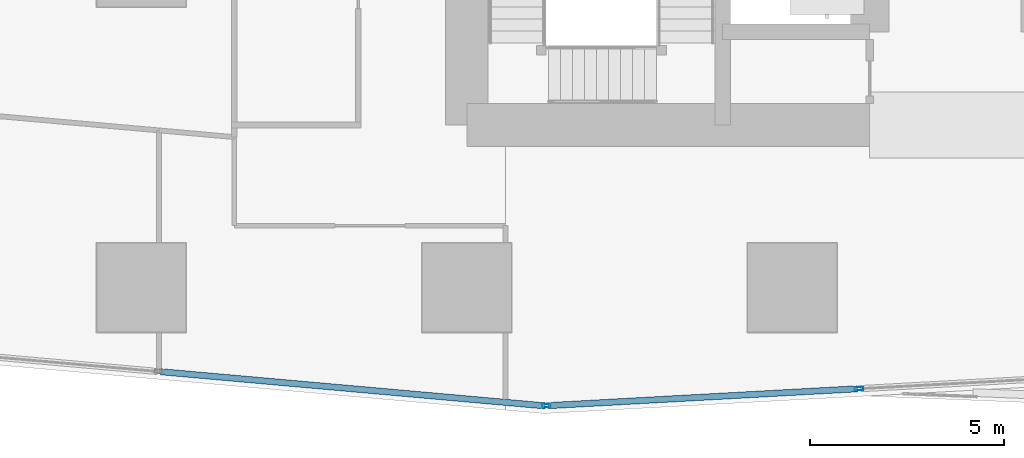
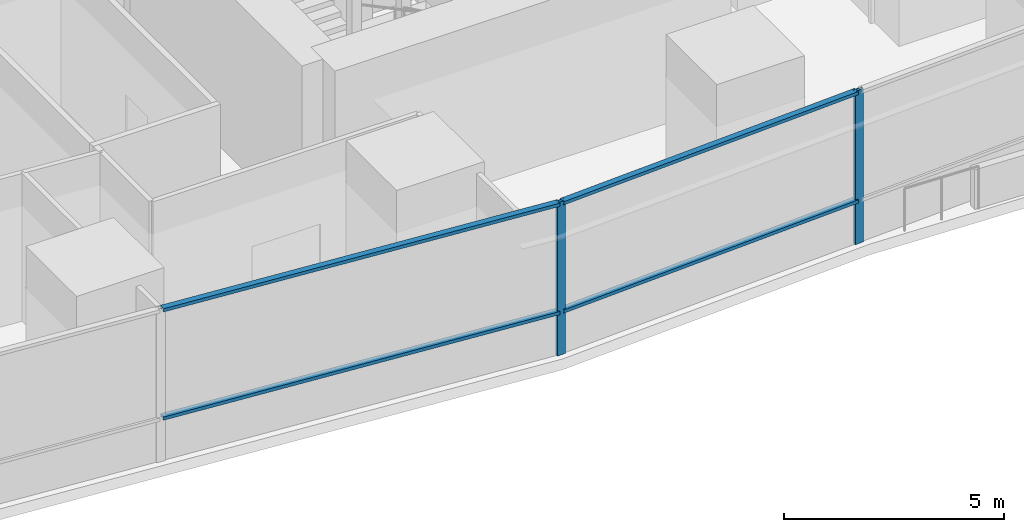
# One storey, part 3 of 39: 6 members, 2 elements without a shape of their own.
"""IFC4 building model written with IfcOpenShell, lengths in metres."""

from ifc_helpers import new_model, si_unit, direction, frame, origin, origin_2d, place, context, subcontext, project, spatial, hollow_rectangle, extrude, material, material_profile, profile_set, type_object, element, aggregate, save


model = new_model("IFC4")

# Units and contexts
model_context = context("Model", 3, precision=1e-05, world=origin(), true_north=direction((0.0, 1.0)))
body_context = subcontext(model_context, "Body", "Model", "MODEL_VIEW")
ifc_project = project(units=[si_unit("LENGTHUNIT", "METRE"), si_unit("AREAUNIT", "SQUARE_METRE"), si_unit("VOLUMEUNIT", "CUBIC_METRE"), si_unit("PLANEANGLEUNIT", "RADIAN"), si_unit("MASSUNIT", "GRAM", prefix="KILO")], contexts=[model_context])

# Site, building, storey
site_placement = place(None, origin())
site = spatial("IfcSite", under=ifc_project, at=site_placement, CompositionType="ELEMENT")
building_placement = place(site_placement, origin())
building = spatial("IfcBuilding", under=site, at=building_placement, Name="Rekha Terrace Tower", CompositionType="ELEMENT")
storey_placement = place(building_placement, frame((0.0, 0.0, 245.60009765625)))
storey = spatial("IfcBuildingStorey", under=building, at=storey_placement, Name="L62", CompositionType="ELEMENT", Elevation=245.60009765625)

# Curtain wall, members
ifc_material_1 = material(Name="Aluminium framing", Category="aluminium")
curtain_wall_type = type_object("IfcCurtainWallType", Name="CW5 sky garden glazing", PredefinedType="USERDEFINED", material=ifc_material_1)
curtain_wall_1_placement = place(storey_placement, origin())
curtain_wall_1 = element("IfcCurtainWall", 1, at=curtain_wall_1_placement, inside=storey, type_object=curtain_wall_type, Name="CW5 sky garden curtain wall", ObjectType="SKY GARDEN CURTAIN WALL", PredefinedType="USERDEFINED")
ifc_material_2 = material(Name="Aluminium mullion section", Category="aluminium")
ifc_material_profile_1 = material_profile(ifc_material_2, hollow_rectangle(XDim=0.090087890625, YDim=0.219970703125, WallThickness=0.00390625, at=origin_2d()), Name="AL RHS 90x220")
ifc_profile_set_1 = profile_set([ifc_material_profile_1], Name="Aluminium mullion section")
member_type_1 = type_object("IfcMemberType", Name="CW5 mullion RHS 90 x 220", PredefinedType="MULLION", material=ifc_profile_set_1)
member_1_placement = place(storey_placement, frame((27.25244140625, 13.7529296875, 0.0), z_axis=(0.0, 0.0, 1.0), x_axis=(-0.054388903071, 0.998519828157, 0.0)))
member_1 = element("IfcMember", 2, at=member_1_placement, type_object=member_type_1, Name="CW5 mullion 1", PredefinedType="MULLION", context=body_context, shape_type="SweptSolid", body=[
    extrude(hollow_rectangle(XDim=0.090087890625, YDim=0.219970703125, WallThickness=0.00390625, at=origin_2d()), origin(), (0.0, 0.0, 1.0), 4.25),
])
member_2_placement = place(storey_placement, frame((35.324951171875, 14.192626953125, 0.0), z_axis=(0.0, 0.0, 1.0), x_axis=(-0.054388903071, 0.998519828157, 0.0)))
member_2 = element("IfcMember", 3, at=member_2_placement, type_object=member_type_1, Name="CW5 mullion 2", PredefinedType="MULLION", context=body_context, shape_type="SweptSolid", body=[
    extrude(hollow_rectangle(XDim=0.090087890625, YDim=0.219970703125, WallThickness=0.00390625, at=origin_2d()), origin(), (0.0, 0.0, 1.0), 4.25),
])

curtain_wall_2_placement = place(storey_placement, origin())
curtain_wall_2 = element("IfcCurtainWall", 4, at=curtain_wall_2_placement, inside=storey, type_object=curtain_wall_type, Name="CW5 sky garden curtain wall", ObjectType="SKY GARDEN CURTAIN WALL", PredefinedType="USERDEFINED")
ifc_material_3 = material(Name="Aluminium transom section", Category="aluminium")
ifc_material_profile_2 = material_profile(ifc_material_3, hollow_rectangle(XDim=0.159912109375, YDim=0.090087890625, WallThickness=0.0029296875, at=origin_2d()), Name="AL RHS 160x90")
ifc_profile_set_2 = profile_set([ifc_material_profile_2], Name="Aluminium transom section")
member_type_2 = type_object("IfcMemberType", Name="CW5 transom RHS 90 x 160", PredefinedType="USERDEFINED", material=ifc_profile_set_2)
member_3_placement = place(storey_placement, frame((17.303955078125, 14.630615234375, 1.199951171875), z_axis=(0.996074324835, -0.088520841638, 0.0), x_axis=(0.088520841638, 0.996074324835, 0.0)))
member_3 = element("IfcMember", 5, at=member_3_placement, type_object=member_type_2, Name="CW5 transom 2.2", ObjectType="TRANSOM", PredefinedType="USERDEFINED", context=body_context, shape_type="SweptSolid", body=[
    extrude(hollow_rectangle(XDim=0.159912109375, YDim=0.090087890625, WallThickness=0.0029296875, at=origin_2d()), origin(), (0.0, 0.0, 1.0), 9.942626953125),
])
member_4_placement = place(storey_placement, frame((17.303955078125, 14.630615234375, 4.204833984375), z_axis=(0.996074324835, -0.088520841638, 0.0), x_axis=(0.088520841638, 0.996074324835, 0.0)))
member_4 = element("IfcMember", 6, at=member_4_placement, type_object=member_type_2, Name="CW5 transom 2.3", ObjectType="TRANSOM", PredefinedType="USERDEFINED", context=body_context, shape_type="SweptSolid", body=[
    extrude(hollow_rectangle(XDim=0.159912109375, YDim=0.090087890625, WallThickness=0.0029296875, at=origin_2d()), origin(), (0.0, 0.0, 1.0), 9.942626953125),
])
aggregate(curtain_wall_2, [member_3, member_4])

# Member
member_5_placement = place(storey_placement, frame((27.29736328125, 13.75537109375, 1.199951171875), z_axis=(0.998519811796, 0.054389203438, 0.0), x_axis=(-0.054389203438, 0.998519811796, 0.0)))
member_5 = element("IfcMember", 7, at=member_5_placement, type_object=member_type_2, Name="CW5 transom 1.2", ObjectType="TRANSOM", PredefinedType="USERDEFINED", context=body_context, shape_type="SweptSolid", body=[
    extrude(hollow_rectangle(XDim=0.159912109375, YDim=0.090087890625, WallThickness=0.0029296875, at=origin_2d()), origin(), (0.0, 0.0, 1.0), 7.994384765625),
])

member_6_placement = place(storey_placement, frame((27.29736328125, 13.75537109375, 4.204833984375), z_axis=(0.998519811796, 0.054389203438, 0.0), x_axis=(-0.054389203438, 0.998519811796, 0.0)))
member_6 = element("IfcMember", 8, at=member_6_placement, type_object=member_type_2, Name="CW5 transom 1.3", ObjectType="TRANSOM", PredefinedType="USERDEFINED", context=body_context, shape_type="SweptSolid", body=[
    extrude(hollow_rectangle(XDim=0.159912109375, YDim=0.090087890625, WallThickness=0.0029296875, at=origin_2d()), origin(), (0.0, 0.0, 1.0), 7.994384765625),
])

aggregate(curtain_wall_1, [member_1, member_2, member_5, member_6])

save(model, "model.ifc")
